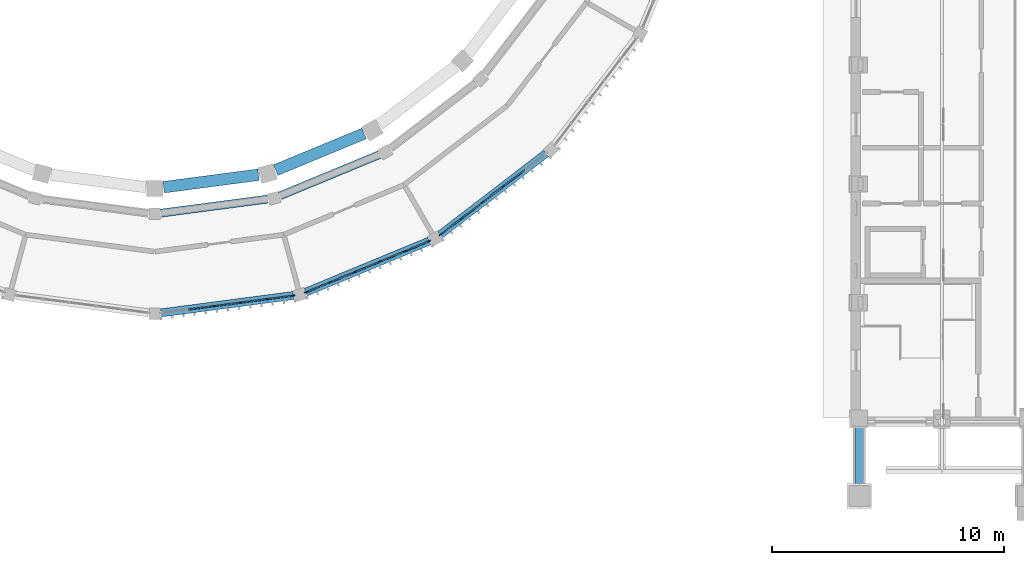
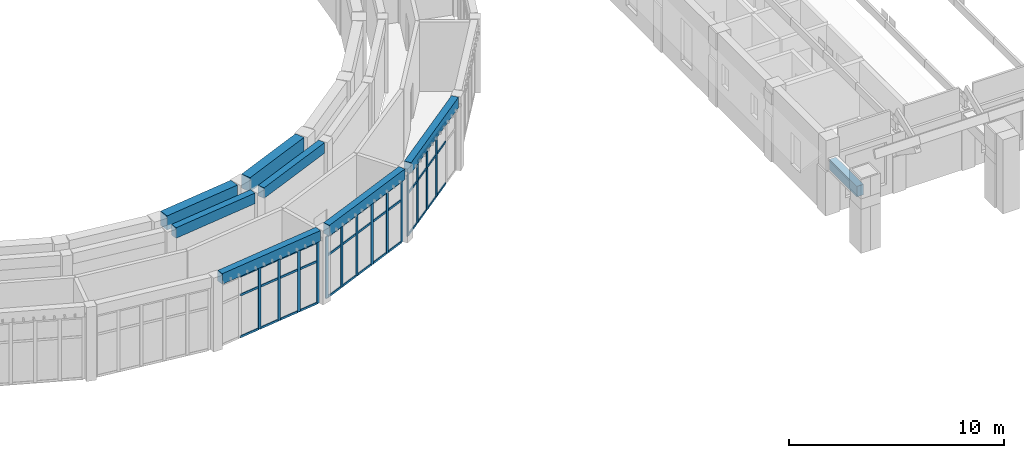
# One storey, part 7 of 99: 53 members, 8 beams, 3 elements without a shape of their own.
"""IFC4 building model written with IfcOpenShell, lengths in metres."""

from ifc_helpers import new_model, si_unit, direction, frame, origin, origin_2d, place, context, subcontext, project, spatial, rectangle, extrude, material, layer, layer_set, material_profile, profile_set, type_object, element, aggregate, save


model = new_model("IFC4")

# Units and contexts
model_context = context("Model", 3, precision=1e-05, world=origin(), true_north=direction((0.0, 1.0)))
body_context = subcontext(model_context, "Body", "Model", "MODEL_VIEW")
ifc_project = project(units=[si_unit("LENGTHUNIT", "METRE"), si_unit("AREAUNIT", "SQUARE_METRE"), si_unit("VOLUMEUNIT", "CUBIC_METRE"), si_unit("PLANEANGLEUNIT", "RADIAN"), si_unit("MASSUNIT", "GRAM", prefix="KILO")], contexts=[model_context])

# Site, building, storey
site_placement = place(None, origin())
site = spatial("IfcSite", under=ifc_project, at=site_placement, CompositionType="ELEMENT")
building_placement = place(site_placement, origin())
building = spatial("IfcBuilding", under=site, at=building_placement, Name="Wasatch Bagh Community Centre", CompositionType="ELEMENT")
storey_placement = place(building_placement, frame((0.0, 0.0, 4.199951171875)))
storey = spatial("IfcBuildingStorey", under=building, at=storey_placement, Name="L01", CompositionType="ELEMENT", Elevation=4.199951171875)

# Beam
ifc_material_1 = material(Name="Concrete C35", Category="concrete")
ifc_material_profile_1 = material_profile(ifc_material_1, rectangle(XDim=0.35009765625, YDim=0.60009765625, at=origin_2d()), Name="RC 350x600")
ifc_profile_set_1 = profile_set([ifc_material_profile_1], Name="Concrete C35")
beam_type_1 = type_object("IfcBeamType", Name="CL-B4", PredefinedType="BEAM", material=ifc_profile_set_1)
beam_1_placement = place(storey_placement, frame((66.35009765625, 6.0, 2.800048828125), z_axis=(0.0, -1.0, 0.0), x_axis=(1.0, 0.0, 0.0)))
element("IfcBeam", 1, at=beam_1_placement, inside=storey, type_object=beam_type_1, Name="CL-B4 tie DHP1.2", PredefinedType="BEAM", context=body_context, shape_type="SweptSolid", body=[
    extrude(rectangle(XDim=0.35009765625, YDim=0.60009765625, at=origin_2d()), origin(), (0.0, 0.0, 1.0), 2.550048828125),
])

# Curtain wall, members
ifc_material_2 = material(Name="Aluminium curtain wall frame with low-iron insulated glass", Category="aluminium")
ifc_layer = layer(ifc_material_2, 0.14990234375)
ifc_layer_set = layer_set([ifc_layer], Name="Aluminium curtain wall frame with low-iron insulated glass")
curtain_wall_type = type_object("IfcCurtainWallType", Name="Drum curtain wall DR-CW2", PredefinedType="NOTDEFINED", material=ifc_layer_set)
curtain_wall_1_placement = place(storey_placement, origin())
curtain_wall_1 = element("IfcCurtainWall", 2, at=curtain_wall_1_placement, inside=storey, type_object=curtain_wall_type, Name="Curtain wall DR-CW2 7", PredefinedType="NOTDEFINED")
ifc_material_3 = material(Name="Aluminium curtain wall frame", Category="aluminium")
ifc_material_profile_2 = material_profile(ifc_material_3, rectangle(XDim=0.06005859375, YDim=0.159912109375, at=origin_2d()), Name="Drum mullion DR-CW2")
ifc_profile_set_2 = profile_set([ifc_material_profile_2], Name="Aluminium curtain wall frame")
member_type_1 = type_object("IfcMemberType", Name="Drum mullion DR-CW2", PredefinedType="MULLION", material=ifc_profile_set_2)
member_1_placement = place(storey_placement, frame((38.55224609375, 11.18603515625, 0.0), z_axis=(0.0, 0.0, 1.0), x_axis=(-0.130526192185, 0.991444861378, 0.0)))
member_1 = element("IfcMember", 3, at=member_1_placement, type_object=member_type_1, Name="DR-CW2 mullion 3", PredefinedType="MULLION", context=body_context, shape_type="SweptSolid", body=[
    extrude(rectangle(XDim=0.06005859375, YDim=0.159912109375, at=origin_2d()), origin(), (0.0, 0.0, 1.0), 3.5),
])
member_2_placement = place(storey_placement, frame((39.6982421875, 11.3369140625, 0.0), z_axis=(0.0, 0.0, 1.0), x_axis=(-0.130526192185, 0.991444861378, 0.0)))
member_2 = element("IfcMember", 4, at=member_2_placement, type_object=member_type_1, Name="DR-CW2 mullion 4", PredefinedType="MULLION", context=body_context, shape_type="SweptSolid", body=[
    extrude(rectangle(XDim=0.06005859375, YDim=0.159912109375, at=origin_2d()), origin(), (0.0, 0.0, 1.0), 3.5),
])
member_3_placement = place(storey_placement, frame((40.84423828125, 11.48779296875, 0.0), z_axis=(0.0, 0.0, 1.0), x_axis=(-0.130526192185, 0.991444861378, 0.0)))
member_3 = element("IfcMember", 5, at=member_3_placement, type_object=member_type_1, Name="DR-CW2 mullion 5", PredefinedType="MULLION", context=body_context, shape_type="SweptSolid", body=[
    extrude(rectangle(XDim=0.06005859375, YDim=0.159912109375, at=origin_2d()), origin(), (0.0, 0.0, 1.0), 3.5),
])
member_4_placement = place(storey_placement, frame((41.96044921875, 11.634765625, 0.0), z_axis=(0.0, 0.0, 1.0), x_axis=(-0.130526192185, 0.991444861378, 0.0)))
member_4 = element("IfcMember", 6, at=member_4_placement, type_object=member_type_1, Name="DR-CW2 mullion 6", PredefinedType="MULLION", context=body_context, shape_type="SweptSolid", body=[
    extrude(rectangle(XDim=0.06005859375, YDim=0.159912109375, at=origin_2d()), origin(), (0.0, 0.0, 1.0), 3.5),
])

curtain_wall_2_placement = place(storey_placement, origin())
curtain_wall_2 = element("IfcCurtainWall", 7, at=curtain_wall_2_placement, inside=storey, type_object=curtain_wall_type, Name="Curtain wall DR-CW2 8", PredefinedType="NOTDEFINED")
member_5_placement = place(storey_placement, frame((42.520751953125, 11.784912109375, 0.0), z_axis=(0.0, 0.0, 1.0), x_axis=(-0.38268343251, 0.923879532451, 0.0)))
member_5 = element("IfcMember", 8, at=member_5_placement, type_object=member_type_1, Name="DR-CW2 mullion 1", PredefinedType="MULLION", context=body_context, shape_type="SweptSolid", body=[
    extrude(rectangle(XDim=0.06005859375, YDim=0.159912109375, at=origin_2d()), origin(), (0.0, 0.0, 1.0), 3.5),
])
member_6_placement = place(storey_placement, frame((43.560791015625, 12.215576171875, 0.0), z_axis=(0.0, 0.0, 1.0), x_axis=(-0.38268343251, 0.923879532451, 0.0)))
member_6 = element("IfcMember", 9, at=member_6_placement, type_object=member_type_1, Name="DR-CW2 mullion 2", PredefinedType="MULLION", context=body_context, shape_type="SweptSolid", body=[
    extrude(rectangle(XDim=0.06005859375, YDim=0.159912109375, at=origin_2d()), origin(), (0.0, 0.0, 1.0), 3.5),
])
member_7_placement = place(storey_placement, frame((44.62890625, 12.657958984375, 0.0), z_axis=(0.0, 0.0, 1.0), x_axis=(-0.38268343251, 0.923879532451, 0.0)))
member_7 = element("IfcMember", 10, at=member_7_placement, type_object=member_type_1, Name="DR-CW2 mullion 3", PredefinedType="MULLION", context=body_context, shape_type="SweptSolid", body=[
    extrude(rectangle(XDim=0.06005859375, YDim=0.159912109375, at=origin_2d()), origin(), (0.0, 0.0, 1.0), 3.5),
])
member_8_placement = place(storey_placement, frame((45.69677734375, 13.100341796875, 0.0), z_axis=(0.0, 0.0, 1.0), x_axis=(-0.38268343251, 0.923879532451, 0.0)))
member_8 = element("IfcMember", 11, at=member_8_placement, type_object=member_type_1, Name="DR-CW2 mullion 4", PredefinedType="MULLION", context=body_context, shape_type="SweptSolid", body=[
    extrude(rectangle(XDim=0.06005859375, YDim=0.159912109375, at=origin_2d()), origin(), (0.0, 0.0, 1.0), 3.5),
])
member_9_placement = place(storey_placement, frame((46.7646484375, 13.542724609375, 0.0), z_axis=(0.0, 0.0, 1.0), x_axis=(-0.38268343251, 0.923879532451, 0.0)))
member_9 = element("IfcMember", 12, at=member_9_placement, type_object=member_type_1, Name="DR-CW2 mullion 5", PredefinedType="MULLION", context=body_context, shape_type="SweptSolid", body=[
    extrude(rectangle(XDim=0.06005859375, YDim=0.159912109375, at=origin_2d()), origin(), (0.0, 0.0, 1.0), 3.5),
])
member_10_placement = place(storey_placement, frame((47.8046875, 13.9736328125, 0.0), z_axis=(0.0, 0.0, 1.0), x_axis=(-0.38268343251, 0.923879532451, 0.0)))
member_10 = element("IfcMember", 13, at=member_10_placement, type_object=member_type_1, Name="DR-CW2 mullion 6", PredefinedType="MULLION", context=body_context, shape_type="SweptSolid", body=[
    extrude(rectangle(XDim=0.06005859375, YDim=0.159912109375, at=origin_2d()), origin(), (0.0, 0.0, 1.0), 3.5),
])

curtain_wall_3_placement = place(storey_placement, origin())
curtain_wall_3 = element("IfcCurtainWall", 14, at=curtain_wall_3_placement, inside=storey, type_object=curtain_wall_type, Name="Curtain wall DR-CW2 9", PredefinedType="NOTDEFINED")
member_11_placement = place(storey_placement, frame((48.30712890625, 14.263671875, 0.0), z_axis=(0.0, 0.0, 1.0), x_axis=(-0.608761429133, 0.793353340196, 0.0)))
member_11 = element("IfcMember", 15, at=member_11_placement, type_object=member_type_1, Name="DR-CW2 mullion 1", PredefinedType="MULLION", context=body_context, shape_type="SweptSolid", body=[
    extrude(rectangle(XDim=0.06005859375, YDim=0.159912109375, at=origin_2d()), origin(), (0.0, 0.0, 1.0), 3.5),
])
member_12_placement = place(storey_placement, frame((49.2001953125, 14.948974609375, 0.0), z_axis=(0.0, 0.0, 1.0), x_axis=(-0.608761429133, 0.793353340196, 0.0)))
member_12 = element("IfcMember", 16, at=member_12_placement, type_object=member_type_1, Name="DR-CW2 mullion 2", PredefinedType="MULLION", context=body_context, shape_type="SweptSolid", body=[
    extrude(rectangle(XDim=0.06005859375, YDim=0.159912109375, at=origin_2d()), origin(), (0.0, 0.0, 1.0), 3.5),
])
member_13_placement = place(storey_placement, frame((50.1171875, 15.652587890625, 0.0), z_axis=(0.0, 0.0, 1.0), x_axis=(-0.608761429133, 0.793353340196, 0.0)))
member_13 = element("IfcMember", 17, at=member_13_placement, type_object=member_type_1, Name="DR-CW2 mullion 3", PredefinedType="MULLION", context=body_context, shape_type="SweptSolid", body=[
    extrude(rectangle(XDim=0.06005859375, YDim=0.159912109375, at=origin_2d()), origin(), (0.0, 0.0, 1.0), 3.5),
])
member_14_placement = place(storey_placement, frame((51.034423828125, 16.356201171875, 0.0), z_axis=(0.0, 0.0, 1.0), x_axis=(-0.608761429133, 0.793353340196, 0.0)))
member_14 = element("IfcMember", 18, at=member_14_placement, type_object=member_type_1, Name="DR-CW2 mullion 4", PredefinedType="MULLION", context=body_context, shape_type="SweptSolid", body=[
    extrude(rectangle(XDim=0.06005859375, YDim=0.159912109375, at=origin_2d()), origin(), (0.0, 0.0, 1.0), 3.5),
])

# Beams
ifc_material_profile_3 = material_profile(ifc_material_1, rectangle(XDim=0.35009765625, YDim=0.60009765625, at=origin_2d()), Name="RC 350x600")
ifc_profile_set_3 = profile_set([ifc_material_profile_3], Name="Concrete C35")
beam_type_2 = type_object("IfcBeamType", Name="Drum ring beam RC 350x600", PredefinedType="BEAM", material=ifc_profile_set_3)
beam_2_placement = place(storey_placement, frame((36.2734375, 15.18603515625, 3.900146484375), z_axis=(0.99144891089, 0.130495429401, 0.0), x_axis=(-0.130495429401, 0.99144891089, 0.0)))
element("IfcBeam", 19, at=beam_2_placement, inside=storey, type_object=beam_type_2, Name="Ring beam 8.4 DI-S6-DI-S7", PredefinedType="BEAM", context=body_context, shape_type="SweptSolid", body=[
    extrude(rectangle(XDim=0.35009765625, YDim=0.60009765625, at=origin_2d()), origin(), (0.0, 0.0, 1.0), 4.63037109375),
])
beam_3_placement = place(storey_placement, frame((41.392333984375, 15.931884765625, 3.900146484375), z_axis=(0.923884458327, 0.382671540178, 0.0), x_axis=(-0.382671540178, 0.923884458327, 0.0)))
element("IfcBeam", 20, at=beam_3_placement, inside=storey, type_object=beam_type_2, Name="Ring beam 8.4 DI-S7-DI-S8", PredefinedType="BEAM", context=body_context, shape_type="SweptSolid", body=[
    extrude(rectangle(XDim=0.35009765625, YDim=0.60009765625, at=origin_2d()), origin(), (0.0, 0.0, 1.0), 4.630615234375),
])
beam_4_placement = place(storey_placement, frame((36.2734375, 10.885986328125, 3.900146484375), z_axis=(0.991443025046, 0.130540139759, 0.0), x_axis=(-0.130540139759, 0.991443025046, 0.0)))
element("IfcBeam", 21, at=beam_4_placement, inside=storey, type_object=beam_type_2, Name="Ring beam 8.4 DO-S6-DO-S7", PredefinedType="BEAM", context=body_context, shape_type="SweptSolid", body=[
    extrude(rectangle(XDim=0.35009765625, YDim=0.60009765625, at=origin_2d()), origin(), (0.0, 0.0, 1.0), 5.7529296875),
])
beam_5_placement = place(storey_placement, frame((42.505126953125, 11.7783203125, 3.900146484375), z_axis=(0.923877183952, 0.38268910224, 0.0), x_axis=(-0.38268910224, 0.923877183952, 0.0)))
element("IfcBeam", 22, at=beam_5_placement, inside=storey, type_object=beam_type_2, Name="Ring beam 8.4 DO-S7-DO-S8", PredefinedType="BEAM", context=body_context, shape_type="SweptSolid", body=[
    extrude(rectangle(XDim=0.35009765625, YDim=0.60009765625, at=origin_2d()), origin(), (0.0, 0.0, 1.0), 5.753173828125),
])
beam_6_placement = place(storey_placement, frame((48.293701171875, 14.25341796875, 3.900146484375), z_axis=(0.793356989288, 0.608756673514, 0.0), x_axis=(-0.608756673514, 0.793356989288, 0.0)))
element("IfcBeam", 23, at=beam_6_placement, inside=storey, type_object=beam_type_2, Name="Ring beam 8.4 DO-S8-DO-S9", PredefinedType="BEAM", context=body_context, shape_type="SweptSolid", body=[
    extrude(rectangle(XDim=0.35009765625, YDim=0.60009765625, at=origin_2d()), origin(), (0.0, 0.0, 1.0), 5.7529296875),
])

# Member
ifc_material_profile_4 = material_profile(ifc_material_3, rectangle(XDim=0.06005859375, YDim=0.1201171875, at=origin_2d()), Name="Drum transom DR-CW2")
ifc_profile_set_4 = profile_set([ifc_material_profile_4], Name="Aluminium curtain wall frame")
member_type_2 = type_object("IfcMemberType", Name="Drum transom DR-CW2", PredefinedType="USERDEFINED", material=ifc_profile_set_4)
member_15_placement = place(storey_placement, frame((37.43603515625, 11.0390625, 0.030029296875), z_axis=(0.99144064028, 0.130558250608, 0.0), x_axis=(-0.130558250608, 0.99144064028, 0.0)))
member_15 = element("IfcMember", 24, at=member_15_placement, type_object=member_type_2, Name="DR-CW2 transom 2.1", ObjectType="TRANSOM", PredefinedType="USERDEFINED", context=body_context, shape_type="SweptSolid", body=[
    extrude(rectangle(XDim=0.06005859375, YDim=0.1201171875, at=origin_2d()), origin(), (0.0, 0.0, 1.0), 1.095703125),
])

member_16_placement = place(storey_placement, frame((37.43603515625, 11.0390625, 2.400146484375), z_axis=(0.99144064028, 0.130558250608, 0.0), x_axis=(-0.130558250608, 0.99144064028, 0.0)))
member_16 = element("IfcMember", 25, at=member_16_placement, type_object=member_type_2, Name="DR-CW2 transom 2.2", ObjectType="TRANSOM", PredefinedType="USERDEFINED", context=body_context, shape_type="SweptSolid", body=[
    extrude(rectangle(XDim=0.06005859375, YDim=0.1201171875, at=origin_2d()), origin(), (0.0, 0.0, 1.0), 1.095703125),
])

member_17_placement = place(storey_placement, frame((37.43603515625, 11.0390625, 3.469970703125), z_axis=(0.99144064028, 0.130558250608, 0.0), x_axis=(-0.130558250608, 0.99144064028, 0.0)))
member_17 = element("IfcMember", 26, at=member_17_placement, type_object=member_type_2, Name="DR-CW2 transom 2.3", ObjectType="TRANSOM", PredefinedType="USERDEFINED", context=body_context, shape_type="SweptSolid", body=[
    extrude(rectangle(XDim=0.06005859375, YDim=0.1201171875, at=origin_2d()), origin(), (0.0, 0.0, 1.0), 1.095703125),
])

member_18_placement = place(storey_placement, frame((38.58203125, 11.18994140625, 0.030029296875), z_axis=(0.99144064028, 0.130558250608, 0.0), x_axis=(-0.130558250608, 0.99144064028, 0.0)))
member_18 = element("IfcMember", 27, at=member_18_placement, type_object=member_type_2, Name="DR-CW2 transom 3.1", ObjectType="TRANSOM", PredefinedType="USERDEFINED", context=body_context, shape_type="SweptSolid", body=[
    extrude(rectangle(XDim=0.06005859375, YDim=0.1201171875, at=origin_2d()), origin(), (0.0, 0.0, 1.0), 1.095703125),
])

member_19_placement = place(storey_placement, frame((38.58203125, 11.18994140625, 2.400146484375), z_axis=(0.99144064028, 0.130558250608, 0.0), x_axis=(-0.130558250608, 0.99144064028, 0.0)))
member_19 = element("IfcMember", 28, at=member_19_placement, type_object=member_type_2, Name="DR-CW2 transom 3.2", ObjectType="TRANSOM", PredefinedType="USERDEFINED", context=body_context, shape_type="SweptSolid", body=[
    extrude(rectangle(XDim=0.06005859375, YDim=0.1201171875, at=origin_2d()), origin(), (0.0, 0.0, 1.0), 1.095703125),
])

member_20_placement = place(storey_placement, frame((38.58203125, 11.18994140625, 3.469970703125), z_axis=(0.99144064028, 0.130558250608, 0.0), x_axis=(-0.130558250608, 0.99144064028, 0.0)))
member_20 = element("IfcMember", 29, at=member_20_placement, type_object=member_type_2, Name="DR-CW2 transom 3.3", ObjectType="TRANSOM", PredefinedType="USERDEFINED", context=body_context, shape_type="SweptSolid", body=[
    extrude(rectangle(XDim=0.06005859375, YDim=0.1201171875, at=origin_2d()), origin(), (0.0, 0.0, 1.0), 1.095703125),
])

member_21_placement = place(storey_placement, frame((39.72802734375, 11.3408203125, 0.030029296875), z_axis=(0.99144064028, 0.130558250608, 0.0), x_axis=(-0.130558250608, 0.99144064028, 0.0)))
member_21 = element("IfcMember", 30, at=member_21_placement, type_object=member_type_2, Name="DR-CW2 transom 4.1", ObjectType="TRANSOM", PredefinedType="USERDEFINED", context=body_context, shape_type="SweptSolid", body=[
    extrude(rectangle(XDim=0.06005859375, YDim=0.1201171875, at=origin_2d()), origin(), (0.0, 0.0, 1.0), 1.095703125),
])

member_22_placement = place(storey_placement, frame((39.72802734375, 11.3408203125, 2.400146484375), z_axis=(0.99144064028, 0.130558250608, 0.0), x_axis=(-0.130558250608, 0.99144064028, 0.0)))
member_22 = element("IfcMember", 31, at=member_22_placement, type_object=member_type_2, Name="DR-CW2 transom 4.2", ObjectType="TRANSOM", PredefinedType="USERDEFINED", context=body_context, shape_type="SweptSolid", body=[
    extrude(rectangle(XDim=0.06005859375, YDim=0.1201171875, at=origin_2d()), origin(), (0.0, 0.0, 1.0), 1.095703125),
])

member_23_placement = place(storey_placement, frame((39.72802734375, 11.3408203125, 3.469970703125), z_axis=(0.99144064028, 0.130558250608, 0.0), x_axis=(-0.130558250608, 0.99144064028, 0.0)))
member_23 = element("IfcMember", 32, at=member_23_placement, type_object=member_type_2, Name="DR-CW2 transom 4.3", ObjectType="TRANSOM", PredefinedType="USERDEFINED", context=body_context, shape_type="SweptSolid", body=[
    extrude(rectangle(XDim=0.06005859375, YDim=0.1201171875, at=origin_2d()), origin(), (0.0, 0.0, 1.0), 1.095703125),
])

member_24_placement = place(storey_placement, frame((40.8740234375, 11.49169921875, 0.030029296875), z_axis=(0.991438694485, 0.130573025845, 0.0), x_axis=(-0.130573025845, 0.991438694485, 0.0)))
member_24 = element("IfcMember", 33, at=member_24_placement, type_object=member_type_2, Name="DR-CW2 transom 5.1", ObjectType="TRANSOM", PredefinedType="USERDEFINED", context=body_context, shape_type="SweptSolid", body=[
    extrude(rectangle(XDim=0.06005859375, YDim=0.1201171875, at=origin_2d()), origin(), (0.0, 0.0, 1.0), 1.065673828125),
])

member_25_placement = place(storey_placement, frame((40.8740234375, 11.49169921875, 2.400146484375), z_axis=(0.991438694485, 0.130573025845, 0.0), x_axis=(-0.130573025845, 0.991438694485, 0.0)))
member_25 = element("IfcMember", 34, at=member_25_placement, type_object=member_type_2, Name="DR-CW2 transom 5.2", ObjectType="TRANSOM", PredefinedType="USERDEFINED", context=body_context, shape_type="SweptSolid", body=[
    extrude(rectangle(XDim=0.06005859375, YDim=0.1201171875, at=origin_2d()), origin(), (0.0, 0.0, 1.0), 1.065673828125),
])

member_26_placement = place(storey_placement, frame((40.8740234375, 11.49169921875, 3.469970703125), z_axis=(0.991438694485, 0.130573025845, 0.0), x_axis=(-0.130573025845, 0.991438694485, 0.0)))
member_26 = element("IfcMember", 35, at=member_26_placement, type_object=member_type_2, Name="DR-CW2 transom 5.3", ObjectType="TRANSOM", PredefinedType="USERDEFINED", context=body_context, shape_type="SweptSolid", body=[
    extrude(rectangle(XDim=0.06005859375, YDim=0.1201171875, at=origin_2d()), origin(), (0.0, 0.0, 1.0), 1.065673828125),
])

aggregate(curtain_wall_1, [member_1, member_2, member_3, member_4, member_15, member_16, member_17, member_18, member_19, member_20, member_21, member_22, member_23, member_24, member_25, member_26])

member_27_placement = place(storey_placement, frame((42.54833984375, 11.79638671875, 0.030029296875), z_axis=(0.923955432606, 0.382500141907, 0.0), x_axis=(-0.382500141907, 0.923955432606, 0.0)))
member_27 = element("IfcMember", 36, at=member_27_placement, type_object=member_type_2, Name="DR-CW2 transom 1.1", ObjectType="TRANSOM", PredefinedType="USERDEFINED", context=body_context, shape_type="SweptSolid", body=[
    extrude(rectangle(XDim=0.06005859375, YDim=0.1201171875, at=origin_2d()), origin(), (0.0, 0.0, 1.0), 1.06591796875),
])

member_28_placement = place(storey_placement, frame((42.54833984375, 11.79638671875, 2.400146484375), z_axis=(0.923955432606, 0.382500141907, 0.0), x_axis=(-0.382500141907, 0.923955432606, 0.0)))
member_28 = element("IfcMember", 37, at=member_28_placement, type_object=member_type_2, Name="DR-CW2 transom 1.2", ObjectType="TRANSOM", PredefinedType="USERDEFINED", context=body_context, shape_type="SweptSolid", body=[
    extrude(rectangle(XDim=0.06005859375, YDim=0.1201171875, at=origin_2d()), origin(), (0.0, 0.0, 1.0), 1.06591796875),
])

member_29_placement = place(storey_placement, frame((42.54833984375, 11.79638671875, 3.469970703125), z_axis=(0.923955432606, 0.382500141907, 0.0), x_axis=(-0.382500141907, 0.923955432606, 0.0)))
member_29 = element("IfcMember", 38, at=member_29_placement, type_object=member_type_2, Name="DR-CW2 transom 1.3", ObjectType="TRANSOM", PredefinedType="USERDEFINED", context=body_context, shape_type="SweptSolid", body=[
    extrude(rectangle(XDim=0.06005859375, YDim=0.1201171875, at=origin_2d()), origin(), (0.0, 0.0, 1.0), 1.06591796875),
])

member_30_placement = place(storey_placement, frame((43.588623046875, 12.22705078125, 0.030029296875), z_axis=(0.923859339579, 0.382732178779, 0.0), x_axis=(-0.382732178779, 0.923859339579, 0.0)))
member_30 = element("IfcMember", 39, at=member_30_placement, type_object=member_type_2, Name="DR-CW2 transom 2.1", ObjectType="TRANSOM", PredefinedType="USERDEFINED", context=body_context, shape_type="SweptSolid", body=[
    extrude(rectangle(XDim=0.06005859375, YDim=0.1201171875, at=origin_2d()), origin(), (0.0, 0.0, 1.0), 1.095947265625),
])

member_31_placement = place(storey_placement, frame((43.588623046875, 12.22705078125, 2.400146484375), z_axis=(0.923859339579, 0.382732178779, 0.0), x_axis=(-0.382732178779, 0.923859339579, 0.0)))
member_31 = element("IfcMember", 40, at=member_31_placement, type_object=member_type_2, Name="DR-CW2 transom 2.2", ObjectType="TRANSOM", PredefinedType="USERDEFINED", context=body_context, shape_type="SweptSolid", body=[
    extrude(rectangle(XDim=0.06005859375, YDim=0.1201171875, at=origin_2d()), origin(), (0.0, 0.0, 1.0), 1.095947265625),
])

member_32_placement = place(storey_placement, frame((43.588623046875, 12.22705078125, 3.469970703125), z_axis=(0.923859339579, 0.382732178779, 0.0), x_axis=(-0.382732178779, 0.923859339579, 0.0)))
member_32 = element("IfcMember", 41, at=member_32_placement, type_object=member_type_2, Name="DR-CW2 transom 2.3", ObjectType="TRANSOM", PredefinedType="USERDEFINED", context=body_context, shape_type="SweptSolid", body=[
    extrude(rectangle(XDim=0.06005859375, YDim=0.1201171875, at=origin_2d()), origin(), (0.0, 0.0, 1.0), 1.095947265625),
])

member_33_placement = place(storey_placement, frame((44.656494140625, 12.66943359375, 0.030029296875), z_axis=(0.923859339579, 0.382732178779, 0.0), x_axis=(-0.382732178779, 0.923859339579, 0.0)))
member_33 = element("IfcMember", 42, at=member_33_placement, type_object=member_type_2, Name="DR-CW2 transom 3.1", ObjectType="TRANSOM", PredefinedType="USERDEFINED", context=body_context, shape_type="SweptSolid", body=[
    extrude(rectangle(XDim=0.06005859375, YDim=0.1201171875, at=origin_2d()), origin(), (0.0, 0.0, 1.0), 1.095947265625),
])

member_34_placement = place(storey_placement, frame((44.656494140625, 12.66943359375, 2.400146484375), z_axis=(0.923859339579, 0.382732178779, 0.0), x_axis=(-0.382732178779, 0.923859339579, 0.0)))
member_34 = element("IfcMember", 43, at=member_34_placement, type_object=member_type_2, Name="DR-CW2 transom 3.2", ObjectType="TRANSOM", PredefinedType="USERDEFINED", context=body_context, shape_type="SweptSolid", body=[
    extrude(rectangle(XDim=0.06005859375, YDim=0.1201171875, at=origin_2d()), origin(), (0.0, 0.0, 1.0), 1.095947265625),
])

member_35_placement = place(storey_placement, frame((44.656494140625, 12.66943359375, 3.469970703125), z_axis=(0.923859339579, 0.382732178779, 0.0), x_axis=(-0.382732178779, 0.923859339579, 0.0)))
member_35 = element("IfcMember", 44, at=member_35_placement, type_object=member_type_2, Name="DR-CW2 transom 3.3", ObjectType="TRANSOM", PredefinedType="USERDEFINED", context=body_context, shape_type="SweptSolid", body=[
    extrude(rectangle(XDim=0.06005859375, YDim=0.1201171875, at=origin_2d()), origin(), (0.0, 0.0, 1.0), 1.095947265625),
])

member_36_placement = place(storey_placement, frame((45.724365234375, 13.11181640625, 0.030029296875), z_axis=(0.923859339579, 0.382732178779, 0.0), x_axis=(-0.382732178779, 0.923859339579, 0.0)))
member_36 = element("IfcMember", 45, at=member_36_placement, type_object=member_type_2, Name="DR-CW2 transom 4.1", ObjectType="TRANSOM", PredefinedType="USERDEFINED", context=body_context, shape_type="SweptSolid", body=[
    extrude(rectangle(XDim=0.06005859375, YDim=0.1201171875, at=origin_2d()), origin(), (0.0, 0.0, 1.0), 1.095947265625),
])

member_37_placement = place(storey_placement, frame((45.724365234375, 13.11181640625, 2.400146484375), z_axis=(0.923859339579, 0.382732178779, 0.0), x_axis=(-0.382732178779, 0.923859339579, 0.0)))
member_37 = element("IfcMember", 46, at=member_37_placement, type_object=member_type_2, Name="DR-CW2 transom 4.2", ObjectType="TRANSOM", PredefinedType="USERDEFINED", context=body_context, shape_type="SweptSolid", body=[
    extrude(rectangle(XDim=0.06005859375, YDim=0.1201171875, at=origin_2d()), origin(), (0.0, 0.0, 1.0), 1.095947265625),
])

member_38_placement = place(storey_placement, frame((45.724365234375, 13.11181640625, 3.469970703125), z_axis=(0.923859339579, 0.382732178779, 0.0), x_axis=(-0.382732178779, 0.923859339579, 0.0)))
member_38 = element("IfcMember", 47, at=member_38_placement, type_object=member_type_2, Name="DR-CW2 transom 4.3", ObjectType="TRANSOM", PredefinedType="USERDEFINED", context=body_context, shape_type="SweptSolid", body=[
    extrude(rectangle(XDim=0.06005859375, YDim=0.1201171875, at=origin_2d()), origin(), (0.0, 0.0, 1.0), 1.095947265625),
])

member_39_placement = place(storey_placement, frame((46.792236328125, 13.55419921875, 0.030029296875), z_axis=(0.923874472572, 0.38269564791, 0.0), x_axis=(-0.38269564791, 0.923874472572, 0.0)))
member_39 = element("IfcMember", 48, at=member_39_placement, type_object=member_type_2, Name="DR-CW2 transom 5.1", ObjectType="TRANSOM", PredefinedType="USERDEFINED", context=body_context, shape_type="SweptSolid", body=[
    extrude(rectangle(XDim=0.06005859375, YDim=0.1201171875, at=origin_2d()), origin(), (0.0, 0.0, 1.0), 1.06591796875),
])

member_40_placement = place(storey_placement, frame((46.792236328125, 13.55419921875, 2.400146484375), z_axis=(0.923874472572, 0.38269564791, 0.0), x_axis=(-0.38269564791, 0.923874472572, 0.0)))
member_40 = element("IfcMember", 49, at=member_40_placement, type_object=member_type_2, Name="DR-CW2 transom 5.2", ObjectType="TRANSOM", PredefinedType="USERDEFINED", context=body_context, shape_type="SweptSolid", body=[
    extrude(rectangle(XDim=0.06005859375, YDim=0.1201171875, at=origin_2d()), origin(), (0.0, 0.0, 1.0), 1.06591796875),
])

member_41_placement = place(storey_placement, frame((46.792236328125, 13.55419921875, 3.469970703125), z_axis=(0.923874472572, 0.38269564791, 0.0), x_axis=(-0.38269564791, 0.923874472572, 0.0)))
member_41 = element("IfcMember", 50, at=member_41_placement, type_object=member_type_2, Name="DR-CW2 transom 5.3", ObjectType="TRANSOM", PredefinedType="USERDEFINED", context=body_context, shape_type="SweptSolid", body=[
    extrude(rectangle(XDim=0.06005859375, YDim=0.1201171875, at=origin_2d()), origin(), (0.0, 0.0, 1.0), 1.06591796875),
])

aggregate(curtain_wall_2, [member_5, member_6, member_7, member_8, member_9, member_10, member_27, member_28, member_29, member_30, member_31, member_32, member_33, member_34, member_35, member_36, member_37, member_38, member_39, member_40, member_41])

member_42_placement = place(storey_placement, frame((48.330810546875, 14.28173828125, 0.030029296875), z_axis=(0.793355628453, 0.608758447006, 0.0), x_axis=(-0.608758447006, 0.793355628453, 0.0)))
member_42 = element("IfcMember", 51, at=member_42_placement, type_object=member_type_2, Name="DR-CW2 transom 1.1", ObjectType="TRANSOM", PredefinedType="USERDEFINED", context=body_context, shape_type="SweptSolid", body=[
    extrude(rectangle(XDim=0.06005859375, YDim=0.1201171875, at=origin_2d()), origin(), (0.0, 0.0, 1.0), 1.06591796875),
])

member_43_placement = place(storey_placement, frame((48.330810546875, 14.28173828125, 2.400146484375), z_axis=(0.793355628453, 0.608758447006, 0.0), x_axis=(-0.608758447006, 0.793355628453, 0.0)))
member_43 = element("IfcMember", 52, at=member_43_placement, type_object=member_type_2, Name="DR-CW2 transom 1.2", ObjectType="TRANSOM", PredefinedType="USERDEFINED", context=body_context, shape_type="SweptSolid", body=[
    extrude(rectangle(XDim=0.06005859375, YDim=0.1201171875, at=origin_2d()), origin(), (0.0, 0.0, 1.0), 1.06591796875),
])

member_44_placement = place(storey_placement, frame((48.330810546875, 14.28173828125, 3.469970703125), z_axis=(0.793355628453, 0.608758447006, 0.0), x_axis=(-0.608758447006, 0.793355628453, 0.0)))
member_44 = element("IfcMember", 53, at=member_44_placement, type_object=member_type_2, Name="DR-CW2 transom 1.3", ObjectType="TRANSOM", PredefinedType="USERDEFINED", context=body_context, shape_type="SweptSolid", body=[
    extrude(rectangle(XDim=0.06005859375, YDim=0.1201171875, at=origin_2d()), origin(), (0.0, 0.0, 1.0), 1.06591796875),
])

member_45_placement = place(storey_placement, frame((49.22412109375, 14.96728515625, 0.030029296875), z_axis=(0.793401911405, 0.608698124672, 0.0), x_axis=(-0.608698124672, 0.793401911405, 0.0)))
member_45 = element("IfcMember", 54, at=member_45_placement, type_object=member_type_2, Name="DR-CW2 transom 2.1", ObjectType="TRANSOM", PredefinedType="USERDEFINED", context=body_context, shape_type="SweptSolid", body=[
    extrude(rectangle(XDim=0.06005859375, YDim=0.1201171875, at=origin_2d()), origin(), (0.0, 0.0, 1.0), 1.095703125),
])

member_46_placement = place(storey_placement, frame((49.22412109375, 14.96728515625, 2.400146484375), z_axis=(0.793401911405, 0.608698124672, 0.0), x_axis=(-0.608698124672, 0.793401911405, 0.0)))
member_46 = element("IfcMember", 55, at=member_46_placement, type_object=member_type_2, Name="DR-CW2 transom 2.2", ObjectType="TRANSOM", PredefinedType="USERDEFINED", context=body_context, shape_type="SweptSolid", body=[
    extrude(rectangle(XDim=0.06005859375, YDim=0.1201171875, at=origin_2d()), origin(), (0.0, 0.0, 1.0), 1.095703125),
])

member_47_placement = place(storey_placement, frame((49.22412109375, 14.96728515625, 3.469970703125), z_axis=(0.793401911405, 0.608698124672, 0.0), x_axis=(-0.608698124672, 0.793401911405, 0.0)))
member_47 = element("IfcMember", 56, at=member_47_placement, type_object=member_type_2, Name="DR-CW2 transom 2.3", ObjectType="TRANSOM", PredefinedType="USERDEFINED", context=body_context, shape_type="SweptSolid", body=[
    extrude(rectangle(XDim=0.06005859375, YDim=0.1201171875, at=origin_2d()), origin(), (0.0, 0.0, 1.0), 1.095703125),
])

member_48_placement = place(storey_placement, frame((50.14111328125, 15.6708984375, 0.030029296875), z_axis=(0.793401911405, 0.608698124672, 0.0), x_axis=(-0.608698124672, 0.793401911405, 0.0)))
member_48 = element("IfcMember", 57, at=member_48_placement, type_object=member_type_2, Name="DR-CW2 transom 3.1", ObjectType="TRANSOM", PredefinedType="USERDEFINED", context=body_context, shape_type="SweptSolid", body=[
    extrude(rectangle(XDim=0.06005859375, YDim=0.1201171875, at=origin_2d()), origin(), (0.0, 0.0, 1.0), 1.095703125),
])

member_49_placement = place(storey_placement, frame((50.14111328125, 15.6708984375, 2.400146484375), z_axis=(0.793401911405, 0.608698124672, 0.0), x_axis=(-0.608698124672, 0.793401911405, 0.0)))
member_49 = element("IfcMember", 58, at=member_49_placement, type_object=member_type_2, Name="DR-CW2 transom 3.2", ObjectType="TRANSOM", PredefinedType="USERDEFINED", context=body_context, shape_type="SweptSolid", body=[
    extrude(rectangle(XDim=0.06005859375, YDim=0.1201171875, at=origin_2d()), origin(), (0.0, 0.0, 1.0), 1.095703125),
])

member_50_placement = place(storey_placement, frame((50.14111328125, 15.6708984375, 3.469970703125), z_axis=(0.793401911405, 0.608698124672, 0.0), x_axis=(-0.608698124672, 0.793401911405, 0.0)))
member_50 = element("IfcMember", 59, at=member_50_placement, type_object=member_type_2, Name="DR-CW2 transom 3.3", ObjectType="TRANSOM", PredefinedType="USERDEFINED", context=body_context, shape_type="SweptSolid", body=[
    extrude(rectangle(XDim=0.06005859375, YDim=0.1201171875, at=origin_2d()), origin(), (0.0, 0.0, 1.0), 1.095703125),
])

member_51_placement = place(storey_placement, frame((51.05810546875, 16.37451171875, 0.030029296875), z_axis=(0.793294312563, 0.608838347721, 0.0), x_axis=(-0.608838347721, 0.793294312563, 0.0)))
member_51 = element("IfcMember", 60, at=member_51_placement, type_object=member_type_2, Name="DR-CW2 transom 4.1", ObjectType="TRANSOM", PredefinedType="USERDEFINED", context=body_context, shape_type="SweptSolid", body=[
    extrude(rectangle(XDim=0.06005859375, YDim=0.1201171875, at=origin_2d()), origin(), (0.0, 0.0, 1.0), 1.095947265625),
])

member_52_placement = place(storey_placement, frame((51.05810546875, 16.37451171875, 2.400146484375), z_axis=(0.793294312563, 0.608838347721, 0.0), x_axis=(-0.608838347721, 0.793294312563, 0.0)))
member_52 = element("IfcMember", 61, at=member_52_placement, type_object=member_type_2, Name="DR-CW2 transom 4.2", ObjectType="TRANSOM", PredefinedType="USERDEFINED", context=body_context, shape_type="SweptSolid", body=[
    extrude(rectangle(XDim=0.06005859375, YDim=0.1201171875, at=origin_2d()), origin(), (0.0, 0.0, 1.0), 1.095947265625),
])

member_53_placement = place(storey_placement, frame((51.05810546875, 16.37451171875, 3.469970703125), z_axis=(0.793294312563, 0.608838347721, 0.0), x_axis=(-0.608838347721, 0.793294312563, 0.0)))
member_53 = element("IfcMember", 62, at=member_53_placement, type_object=member_type_2, Name="DR-CW2 transom 4.3", ObjectType="TRANSOM", PredefinedType="USERDEFINED", context=body_context, shape_type="SweptSolid", body=[
    extrude(rectangle(XDim=0.06005859375, YDim=0.1201171875, at=origin_2d()), origin(), (0.0, 0.0, 1.0), 1.095947265625),
])

aggregate(curtain_wall_3, [member_11, member_12, member_13, member_14, member_42, member_43, member_44, member_45, member_46, member_47, member_48, member_49, member_50, member_51, member_52, member_53])

# Beams
ifc_material_profile_5 = material_profile(ifc_material_1, rectangle(XDim=0.5, YDim=0.800048828125, at=origin_2d()), Name="RC 500x800")
ifc_profile_set_5 = profile_set([ifc_material_profile_5], Name="Concrete C35")
beam_type_3 = type_object("IfcBeamType", Name="MH ring beam RC 500x800", PredefinedType="BEAM", material=ifc_profile_set_5)
for number, where, z_axis, x_axis, name in (
    (63, (36.383056640625, 16.300537109375, 3.800048828125), (0.991450464722, 0.130483623501, 0.0), (-0.130483623501, 0.991450464722, 0.0), "Ring beam 8.4 S6-S7"),
    (64, (41.2099609375, 17.036865234375, 3.800048828125), (0.923877504262, 0.382688328955, 0.0), (-0.382688328955, 0.923877504262, 0.0), "Ring beam 8.4 S7-S8"),
):
    element("IfcBeam", number, at=place(storey_placement, frame(where, z_axis=z_axis, x_axis=x_axis)), inside=storey, type_object=beam_type_3, Name=name, PredefinedType="BEAM", context=body_context, shape_type="SweptSolid", body=[
        extrude(rectangle(XDim=0.5, YDim=0.800048828125, at=origin_2d()), origin(), (0.0, 0.0, 1.0), 4.121826171875),
    ])

save(model, "model.ifc")
